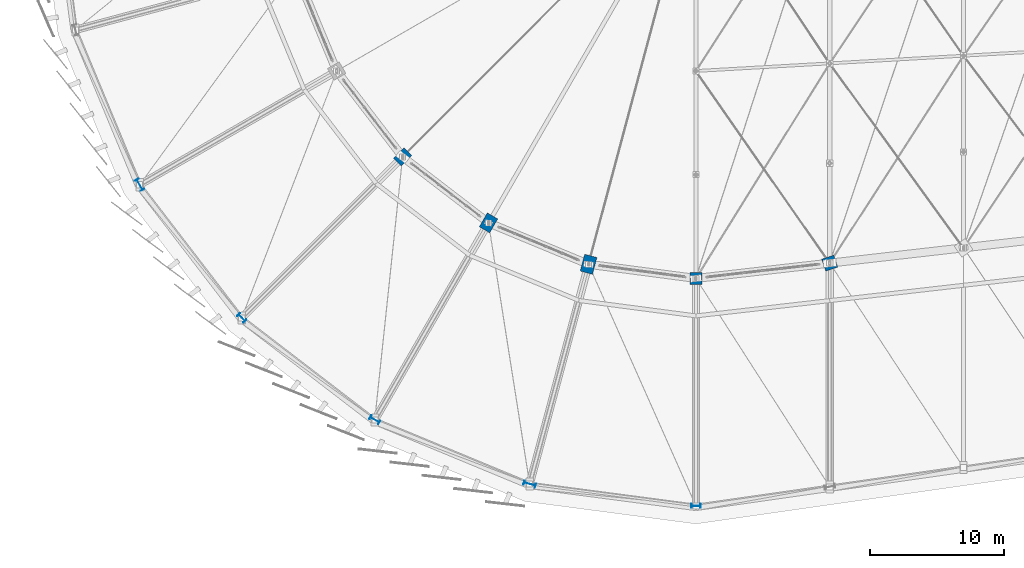
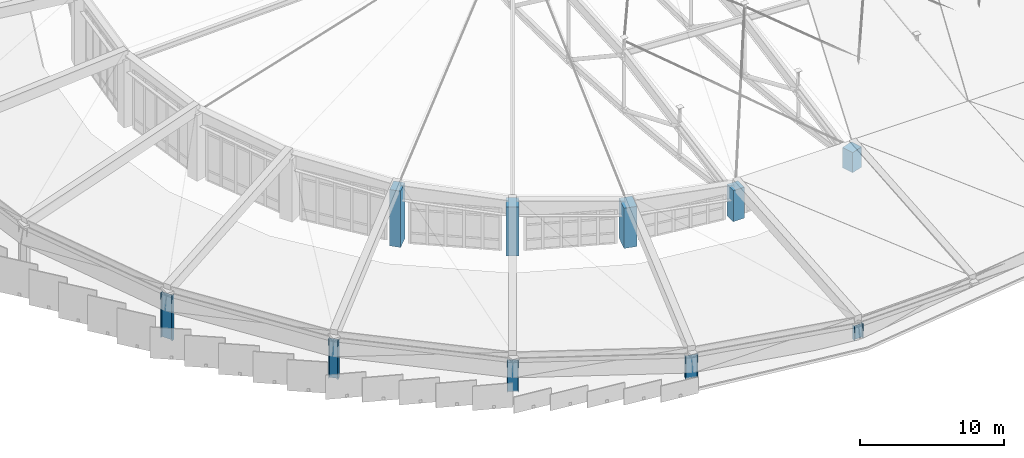
# One storey, part 1 of 68: 10 columns.
"""IFC4 building model written with IfcOpenShell, lengths in metres."""

from ifc_helpers import new_model, si_unit, direction, frame, origin, origin_2d, place, context, subcontext, project, spatial, rectangle, i_section, extrude, material, material_profile, profile_set, type_object, element, save


model = new_model("IFC4")

# Units and contexts
model_context = context("Model", 3, precision=1e-05, world=origin(), true_north=direction((0.0, 1.0)))
body_context = subcontext(model_context, "Body", "Model", "MODEL_VIEW")
ifc_project = project(units=[si_unit("LENGTHUNIT", "METRE"), si_unit("AREAUNIT", "SQUARE_METRE"), si_unit("VOLUMEUNIT", "CUBIC_METRE"), si_unit("PLANEANGLEUNIT", "RADIAN"), si_unit("MASSUNIT", "GRAM", prefix="KILO")], contexts=[model_context])

# Site, building, storey
site_placement = place(None, origin())
site = spatial("IfcSite", under=ifc_project, at=site_placement, CompositionType="ELEMENT")
building_placement = place(site_placement, origin())
building = spatial("IfcBuilding", under=site, at=building_placement, Name="Sohan Crest Arena", CompositionType="ELEMENT")
storey_placement = place(building_placement, frame((0.0, 0.0, 27.0)))
storey = spatial("IfcBuildingStorey", under=building, at=storey_placement, Name="RF", CompositionType="ELEMENT", Elevation=27.0)

# Columns
ifc_material_1 = material(Name="Concrete C40/50", Category="concrete")
ifc_material_profile_1 = material_profile(ifc_material_1, rectangle(XDim=0.89990234375, YDim=0.89990234375, at=origin_2d()), Name="RC 900x900")
ifc_profile_set_1 = profile_set([ifc_material_profile_1], Name="Concrete C40/50")
column_type_1 = type_object("IfcColumnType", Name="STR-COL-C07", PredefinedType="COLUMN", material=ifc_profile_set_1)
column_1_placement = place(storey_placement, frame((98.0, 47.0, 0.0), z_axis=(0.0, 0.0, 1.0), x_axis=(0.0, 1.0, 0.0)))
element("IfcColumn", 1, at=column_1_placement, inside=storey, type_object=column_type_1, Name="Structural column COL-V1R-13-RF", PredefinedType="COLUMN", context=body_context, shape_type="SweptSolid", body=[
    extrude(rectangle(XDim=0.89990234375, YDim=0.89990234375, at=origin_2d()), origin(), (0.0, 0.0, 1.0), 2.64111328125),
])
ifc_material_profile_2 = material_profile(ifc_material_1, rectangle(XDim=0.949951171875, YDim=0.949951171875, at=origin_2d()), Name="RC 950x950")
ifc_profile_set_2 = profile_set([ifc_material_profile_2], Name="Concrete C40/50")
column_type_2 = type_object("IfcColumnType", Name="STR-COL-C08", PredefinedType="COLUMN", material=ifc_profile_set_2)
column_2_placement = place(storey_placement, frame((108.0, 48.14306640625, 0.0), z_axis=(0.0, 0.0, 1.0), x_axis=(-0.317304656405, 0.948323655206, 0.0)))
element("IfcColumn", 2, at=column_2_placement, inside=storey, type_object=column_type_2, Name="Structural column COL-V1R-14-RF", PredefinedType="COLUMN", context=body_context, shape_type="SweptSolid", body=[
    extrude(rectangle(XDim=0.949951171875, YDim=0.949951171875, at=origin_2d()), origin(), (0.0, 0.0, 1.0), 1.712890625),
])
ifc_material_profile_3 = material_profile(ifc_material_1, rectangle(XDim=1.10009765625, YDim=0.800048828125, at=origin_2d()), Name="RC 1100x800")
ifc_profile_set_3 = profile_set([ifc_material_profile_3], Name="Concrete C40/50")
column_type_3 = type_object("IfcColumnType", Name="STR-COL-C10", PredefinedType="COLUMN", material=ifc_profile_set_3)
column_3_placement = place(storey_placement, frame((76.080078125, 56.080078125, 0.0), z_axis=(0.0, 0.0, 1.0), x_axis=(0.707106781187, 0.707106781187, 0.0)))
element("IfcColumn", 3, at=column_3_placement, inside=storey, type_object=column_type_3, Name="Structural column COL-V1R-10-RF", PredefinedType="COLUMN", context=body_context, shape_type="SweptSolid", body=[
    extrude(rectangle(XDim=1.10009765625, YDim=0.800048828125, at=origin_2d()), origin(), (0.0, 0.0, 1.0), 4.777099609375),
])
ifc_material_profile_4 = material_profile(ifc_material_1, rectangle(XDim=1.199951171875, YDim=0.89990234375, at=origin_2d()), Name="RC 1200x900")
ifc_profile_set_4 = profile_set([ifc_material_profile_4], Name="Concrete C40/50")
column_type_4 = type_object("IfcColumnType", Name="STR-COL-C11", PredefinedType="COLUMN", material=ifc_profile_set_4)
column_4_placement = place(storey_placement, frame((82.5, 51.153076171875, 0.0), z_axis=(0.0, 0.0, 1.0), x_axis=(0.5, 0.866025403784, 0.0)))
element("IfcColumn", 4, at=column_4_placement, inside=storey, type_object=column_type_4, Name="Structural column COL-V1R-11-RF", PredefinedType="COLUMN", context=body_context, shape_type="SweptSolid", body=[
    extrude(rectangle(XDim=1.199951171875, YDim=0.89990234375, at=origin_2d()), origin(), (0.0, 0.0, 1.0), 4.137939453125),
])
ifc_material_profile_5 = material_profile(ifc_material_1, rectangle(XDim=1.300048828125, YDim=0.949951171875, at=origin_2d()), Name="RC 1300x950")
ifc_profile_set_5 = profile_set([ifc_material_profile_5], Name="Concrete C40/50")
column_type_5 = type_object("IfcColumnType", Name="STR-COL-C12", PredefinedType="COLUMN", material=ifc_profile_set_5)
column_5_placement = place(storey_placement, frame((89.97705078125, 48.055908203125, 0.0), z_axis=(0.0, 0.0, 1.0), x_axis=(0.258819045103, 0.965925826289, 0.0)))
element("IfcColumn", 5, at=column_5_placement, inside=storey, type_object=column_type_5, Name="Structural column COL-V1R-12-RF", PredefinedType="COLUMN", context=body_context, shape_type="SweptSolid", body=[
    extrude(rectangle(XDim=1.300048828125, YDim=0.949951171875, at=origin_2d()), origin(), (0.0, 0.0, 1.0), 3.407958984375),
])
ifc_material_2 = material(Name="Steel S355", Category="steel")
ifc_material_profile_6 = material_profile(ifc_material_2, i_section(OverallWidth=0.300048828125, OverallDepth=0.699951171875, WebThickness=0.01708984375, FlangeThickness=0.031982421875, at=origin_2d()), Name="HEB 700")
ifc_profile_set_6 = profile_set([ifc_material_profile_6], Name="Steel S355")
column_type_6 = type_object("IfcColumnType", Name="STR-COL-C21", PredefinedType="COLUMN", material=ifc_profile_set_6)
column_6_placement = place(storey_placement, frame((64.05908203125, 44.05908203125, 0.0), z_axis=(0.0, 0.0, 1.0), x_axis=(0.707106781187, 0.707106781187, 0.0)))
element("IfcColumn", 6, at=column_6_placement, inside=storey, type_object=column_type_6, Name="Structural column COL-V2O-10-RF", PredefinedType="COLUMN", context=body_context, shape_type="SweptSolid", body=[
    extrude(i_section(OverallWidth=0.300048828125, OverallDepth=0.699951171875, WebThickness=0.01708984375, FlangeThickness=0.031982421875, at=origin_2d()), origin(), (0.0, 0.0, 1.0), 3.326904296875),
])
column_7_placement = place(storey_placement, frame((98.0, 30.0, 0.0), z_axis=(0.0, 0.0, 1.0), x_axis=(0.0, 1.0, 0.0)))
element("IfcColumn", 7, at=column_7_placement, inside=storey, type_object=column_type_6, Name="Structural column COL-V2O-13-RF", PredefinedType="COLUMN", context=body_context, shape_type="SweptSolid", body=[
    extrude(i_section(OverallWidth=0.300048828125, OverallDepth=0.699951171875, WebThickness=0.01708984375, FlangeThickness=0.031982421875, at=origin_2d()), origin(), (0.0, 0.0, 1.0), 1.19091796875),
])
ifc_material_profile_7 = material_profile(ifc_material_2, i_section(OverallWidth=0.300048828125, OverallDepth=0.800048828125, WebThickness=0.017578125, FlangeThickness=0.032958984375, at=origin_2d()), Name="HEB 800")
ifc_profile_set_7 = profile_set([ifc_material_profile_7], Name="Steel S355")
column_type_7 = type_object("IfcColumnType", Name="STR-COL-C22", PredefinedType="COLUMN", material=ifc_profile_set_7)
column_8_placement = place(storey_placement, frame((74.0, 36.430908203125, 0.0), z_axis=(0.0, 0.0, 1.0), x_axis=(0.5, 0.866025403784, 0.0)))
element("IfcColumn", 8, at=column_8_placement, inside=storey, type_object=column_type_7, Name="Structural column COL-V2O-11-RF", PredefinedType="COLUMN", context=body_context, shape_type="SweptSolid", body=[
    extrude(i_section(OverallWidth=0.300048828125, OverallDepth=0.800048828125, WebThickness=0.017578125, FlangeThickness=0.032958984375, at=origin_2d()), origin(), (0.0, 0.0, 1.0), 2.68798828125),
])
ifc_material_profile_8 = material_profile(ifc_material_2, i_section(OverallWidth=0.300048828125, OverallDepth=0.89990234375, WebThickness=0.0185546875, FlangeThickness=0.034912109375, at=origin_2d()), Name="HEB 900")
ifc_profile_set_8 = profile_set([ifc_material_profile_8], Name="Steel S355")
column_type_8 = type_object("IfcColumnType", Name="STR-COL-C23", PredefinedType="COLUMN", material=ifc_profile_set_8)
column_9_placement = place(storey_placement, frame((56.430908203125, 54.0, 0.0), z_axis=(0.0, 0.0, 1.0), x_axis=(0.866025403784, 0.5, 0.0)))
element("IfcColumn", 9, at=column_9_placement, inside=storey, type_object=column_type_8, Name="Structural column COL-V2O-09-RF", PredefinedType="COLUMN", context=body_context, shape_type="SweptSolid", body=[
    extrude(i_section(OverallWidth=0.300048828125, OverallDepth=0.89990234375, WebThickness=0.0185546875, FlangeThickness=0.034912109375, at=origin_2d()), origin(), (0.0, 0.0, 1.0), 3.823974609375),
])
column_10_placement = place(storey_placement, frame((85.576904296875, 31.635986328125, 0.0), z_axis=(0.0, 0.0, 1.0), x_axis=(0.258819045103, 0.965925826289, 0.0)))
element("IfcColumn", 10, at=column_10_placement, inside=storey, type_object=column_type_8, Name="Structural column COL-V2O-12-RF", PredefinedType="COLUMN", context=body_context, shape_type="SweptSolid", body=[
    extrude(i_section(OverallWidth=0.300048828125, OverallDepth=0.89990234375, WebThickness=0.0185546875, FlangeThickness=0.034912109375, at=origin_2d()), origin(), (0.0, 0.0, 1.0), 1.9580078125),
])

save(model, "model.ifc")
